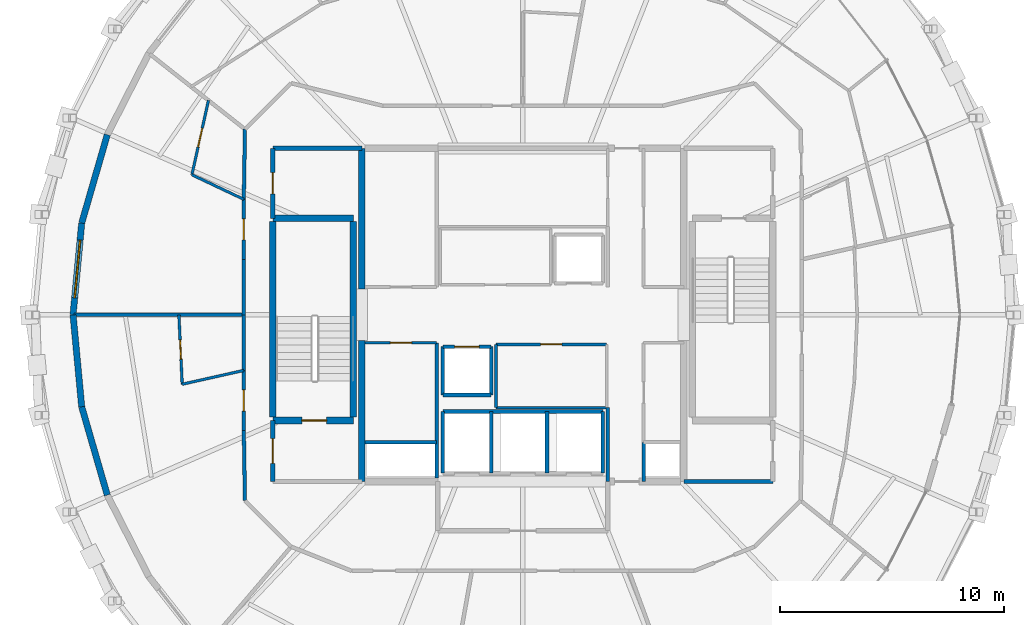
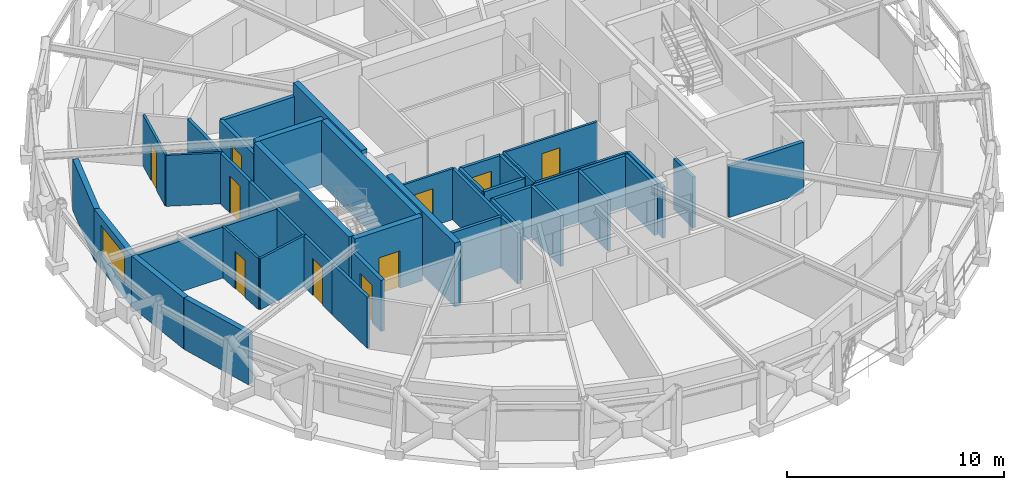
# One storey, part 11 of 15: 42 walls, 10 doors, 1 window, 11 openings.
"""IFC4 building model written with IfcOpenShell, lengths in metres."""

import ifcopenshell
import ifcopenshell.guid

model = None  # the IFC model being written
_history = None  # IfcOwnerHistory: only IFC2X3 demands one
_inside = {}  # id of a spatial element -> (the spatial element, [elements in it])
_under = {}  # id of a project, library or spatial element -> (it, [spatial elements below it])
_declared = {}  # id of a project -> (the project, [libraries it declares])
_typed = {}  # id of a type object -> (the type object, [elements of that type])
_made_of = {}  # id of a material, layer set ... -> (it, [elements and type objects made of it])


def new_model(schema):
    """Start an empty IFC model of exactly this schema.

    Asked for "IFC4X3", IfcOpenShell would pick the latest addendum, in which some entities
    have other attributes; the version numbers below select the first issue.
    IFC2X3 requires an IfcOwnerHistory on every rooted entity: one is made here for all.
    """
    global model, _history
    if schema == "IFC4X3":
        model = ifcopenshell.file(schema_version=(4, 3, 0, 0))
    else:
        model = ifcopenshell.file(schema=schema)
    _inside.clear()
    _under.clear()
    _declared.clear()
    _typed.clear()
    _made_of.clear()
    _history = None
    if model.schema == "IFC2X3":
        org = make("IfcOrganization", Name="unknown")
        user = make(
            "IfcPersonAndOrganization",
            ThePerson=make("IfcPerson", FamilyName="unknown"),
            TheOrganization=org,
        )
        app = make(
            "IfcApplication",
            ApplicationDeveloper=org,
            Version="unknown",
            ApplicationFullName="unknown",
            ApplicationIdentifier="unknown",
        )
        _history = make(
            "IfcOwnerHistory",
            OwningUser=user,
            OwningApplication=app,
            ChangeAction="ADDED",
            CreationDate=0,
        )
    return model


def make(cls, **values):
    """One entity of the class cls with the attributes given. An attribute that is None is left unset."""
    return model.create_entity(
        cls, **{name: value for name, value in values.items() if value is not None}
    )


def rooted(cls, **values):
    """An entity with a GlobalId (a new one), such as an element, a storey or a relation."""
    return make(cls, GlobalId=ifcopenshell.guid.new(), OwnerHistory=_history, **values)


def si_unit(unit_type, name, prefix=None):
    """IfcSIUnit, for example si_unit("LENGTHUNIT", "METRE", prefix="MILLI")."""
    return make("IfcSIUnit", UnitType=unit_type, Prefix=prefix, Name=name)


def assignment(units):
    """IfcUnitAssignment: the units of a project."""
    return None if units is None else make("IfcUnitAssignment", Units=units)


def point(xyz):
    """IfcCartesianPoint."""
    return None if xyz is None else make("IfcCartesianPoint", Coordinates=xyz)


def direction(xyz):
    """IfcDirection."""
    return None if xyz is None else make("IfcDirection", DirectionRatios=xyz)


def frame(location, z_axis=None, x_axis=None):
    """IfcAxis2Placement3D, a coordinate frame: its origin and axes. An axis left out is left unset."""
    return make(
        "IfcAxis2Placement3D",
        Location=point(location),
        Axis=direction(z_axis),
        RefDirection=direction(x_axis),
    )


def frame_2d(location, x_axis=None):
    """IfcAxis2Placement2D, a coordinate frame in the plane: its origin and x axis."""
    return make(
        "IfcAxis2Placement2D", Location=point(location), RefDirection=direction(x_axis)
    )


def origin():
    """The frame at (0, 0, 0) with its axes left unset."""
    return frame((0.0, 0.0, 0.0))


def place(relative_to, where):
    """IfcLocalPlacement: puts the frame where relative to a parent placement (None: the world)."""
    return make(
        "IfcLocalPlacement", PlacementRelTo=relative_to, RelativePlacement=where
    )


def context(
    kind, dimensions, precision=None, world=None, true_north=None, identifier=None
):
    """IfcGeometricRepresentationContext, for example the 3D "Model" context."""
    return make(
        "IfcGeometricRepresentationContext",
        ContextIdentifier=identifier,
        ContextType=kind,
        CoordinateSpaceDimension=dimensions,
        Precision=precision,
        WorldCoordinateSystem=world,
        TrueNorth=true_north,
    )


def subcontext(parent, identifier, kind, view, scale=None):
    """IfcGeometricRepresentationSubContext, for example "Body" below "Model"."""
    return make(
        "IfcGeometricRepresentationSubContext",
        ContextIdentifier=identifier,
        ContextType=kind,
        ParentContext=parent,
        TargetScale=scale,
        TargetView=view,
    )


def project(units=None, contexts=None):
    """IfcProject with its units and contexts."""
    return rooted(
        "IfcProject",
        Name="project",
        RepresentationContexts=contexts,
        UnitsInContext=assignment(units),
    )


def spatial(cls, under=None, at=None, **own):
    """A site, building, storey or space (cls), placed at a placement, below another one or the project."""
    s = rooted(cls, ObjectPlacement=at, **own)
    if under is not None:
        _under.setdefault(under.id(), (under, []))[1].append(s)
    return s


def profile(cls, at=None, kind="AREA", **sizes):
    """A parametric profile (cls). Its sizes go by their IFC names, for example OverallWidth=200.0."""
    return make(cls, ProfileType=kind, Position=at, **sizes)


def rectangle(**sizes):
    """IfcRectangleProfileDef."""
    return profile("IfcRectangleProfileDef", **sizes)


def extrude(swept, where, along, depth):
    """IfcExtrudedAreaSolid: the profile swept, set in the frame where, extruded along a direction by depth."""
    return make(
        "IfcExtrudedAreaSolid",
        SweptArea=swept,
        Position=where,
        ExtrudedDirection=direction(along),
        Depth=depth,
    )


def shape(context_of_items, identifier, shape_type, items):
    """IfcShapeRepresentation: the items that make up one representation, for example the "Body"."""
    return make(
        "IfcShapeRepresentation",
        ContextOfItems=context_of_items,
        RepresentationIdentifier=identifier,
        RepresentationType=shape_type,
        Items=items,
    )


def material(Name=None, Category=None):
    """IfcMaterial."""
    return make("IfcMaterial", Name=Name, Category=Category)


def layer(
    of_material, thickness, ventilated=None, Name=None, Category=None, Priority=None
):
    """IfcMaterialLayer: one layer of a wall or slab, of a material (None: an air gap)."""
    return make(
        "IfcMaterialLayer",
        Material=of_material,
        LayerThickness=thickness,
        IsVentilated=ventilated,
        Name=Name,
        Category=Category,
        Priority=Priority,
    )


def layer_set(layers, Name=None):
    """IfcMaterialLayerSet."""
    return make("IfcMaterialLayerSet", MaterialLayers=layers, LayerSetName=Name)


def made_of(thing, what):
    """Note that an element or type object is made of a material, layer set ...; save() writes the relation."""
    if what is not None:
        _made_of.setdefault(what.id(), (what, []))[1].append(thing)
    return thing


def type_object(cls, material=None, **own):
    """A type object (cls), such as IfcWallType, which elements share."""
    return made_of(rooted(cls, **own), material)


def element(
    cls,
    number,
    at=None,
    inside=None,
    cuts=None,
    type_object=None,
    material=None,
    context=None,
    identifier="Body",
    shape_type=None,
    held_by="IfcProductDefinitionShape",
    body=None,
    shapes=None,
    **own,
):
    """One element of the class cls, such as IfcWall. Its Tag is "e" and its number.

    at: its placement. inside: the storey or other place that contains it. cuts: it is an
    opening in that element (IfcRelVoidsElement). A single representation is given by context,
    identifier, shape_type and body (its items); several are given by shapes. held_by: the class
    of the entity that holds the representations. save() writes the other relations.
    """
    e = rooted(cls, Tag="e%d" % number, ObjectPlacement=at, **own)
    if body is not None:
        shapes = [shape(context, identifier, shape_type, body)]
    if shapes is not None:
        e.Representation = make(held_by, Representations=shapes)
    if inside is not None:
        _inside.setdefault(inside.id(), (inside, []))[1].append(e)
    if cuts is not None:
        rooted(
            "IfcRelVoidsElement", RelatingBuildingElement=cuts, RelatedOpeningElement=e
        )
    if type_object is not None:
        _typed.setdefault(type_object.id(), (type_object, []))[1].append(e)
    return made_of(e, material)


def fill(opening, filler):
    """IfcRelFillsElement: the door or window that sits in an opening."""
    return rooted(
        "IfcRelFillsElement",
        RelatingOpeningElement=opening,
        RelatedBuildingElement=filler,
    )


def aggregate(whole, parts):
    """IfcRelAggregates: a whole, such as a stair, and the parts it consists of."""
    return rooted("IfcRelAggregates", RelatingObject=whole, RelatedObjects=parts)


def save(model, path):
    """Write the relations noted so far, then the file.

    IfcRelAggregates (storeys below a building ...), IfcRelContainedInSpatialStructure (elements
    in a storey), IfcRelDefinesByType, IfcRelAssociatesMaterial and IfcRelDeclares: one each for
    every whole, place, type object, material and project.
    """
    for whole, parts in _under.values():
        aggregate(whole, parts)
    for where, things in _inside.values():
        rooted(
            "IfcRelContainedInSpatialStructure",
            RelatedElements=things,
            RelatingStructure=where,
        )
    for kind, things in _typed.values():
        rooted("IfcRelDefinesByType", RelatedObjects=things, RelatingType=kind)
    for what, things in _made_of.values():
        rooted("IfcRelAssociatesMaterial", RelatedObjects=things, RelatingMaterial=what)
    for by, libraries in _declared.values():
        rooted("IfcRelDeclares", RelatingContext=by, RelatedDefinitions=libraries)
    model.write(path)


model = new_model("IFC4")

# Units and contexts
model_context = context("Model", 3, precision=1e-05, world=origin(), true_north=direction((0.0, 1.0)))
body_context = subcontext(model_context, "Body", "Model", "MODEL_VIEW")
ifc_project = project(units=[si_unit("LENGTHUNIT", "METRE"), si_unit("AREAUNIT", "SQUARE_METRE"), si_unit("VOLUMEUNIT", "CUBIC_METRE"), si_unit("PLANEANGLEUNIT", "RADIAN"), si_unit("MASSUNIT", "GRAM", prefix="KILO")], contexts=[model_context])

# Site, building, storey
site_placement = place(None, origin())
site = spatial("IfcSite", under=ifc_project, at=site_placement, CompositionType="ELEMENT")
building_placement = place(site_placement, origin())
building = spatial("IfcBuilding", under=site, at=building_placement, Name="Veldorina Hangang Commons", CompositionType="ELEMENT")
storey_placement = place(building_placement, frame((0.0, 0.0, 261.60009765625)))
storey = spatial("IfcBuildingStorey", under=building, at=storey_placement, Name="L68", CompositionType="ELEMENT", Elevation=261.60009765625)

# Walls
ifc_material_1 = material(Name="Concrete C50/60", Category="concrete")
ifc_layer_1 = layer(ifc_material_1, 0.300048828125)
ifc_layer_set_1 = layer_set([ifc_layer_1], Name="Concrete C50/60")
wall_type_1 = type_object("IfcWallType", Name="CW-RC300-C50", PredefinedType="SHEAR", material=ifc_layer_set_1)
for number, where, z_axis, x_axis, name in (
    (1, (24.800048828125, 16.550048828125, 0.0), (0.0, 0.0, 1.0), (0.0, 1.0, 0.0), "L68 W south core shear wall"),
    (2, (24.800048828125, 25.14990234375, 0.0), (0.0, 0.0, 1.0), (0.0, 1.0, 0.0), "L68 W north core shear wall"),
):
    element("IfcWall", number, at=place(storey_placement, frame(where, z_axis=z_axis, x_axis=x_axis)), inside=storey, type_object=wall_type_1, Name=name, PredefinedType="SHEAR", context=body_context, shape_type="SweptSolid", body=[
        extrude(rectangle(XDim=6.300048828125, YDim=0.300048828125, at=frame_2d((3.14990234375, 0.0))), origin(), (0.0, 0.0, 1.0), 3.599853515625),
    ])
ifc_material_2 = material(Name="Stone Roman Travertine", Category="masonry")
ifc_layer_2 = layer(ifc_material_2, 0.280029296875)
ifc_layer_set_2 = layer_set([ifc_layer_2], Name="Stone Roman Travertine")
wall_type_2 = type_object("IfcWallType", Name="EW-TRAV-280", PredefinedType="STANDARD", material=ifc_layer_set_2)
wall_1_placement = place(storey_placement, frame((13.416015625, 32.059814453125, 0.0), z_axis=(0.0, 0.0, 1.0), x_axis=(-0.278246863013, -0.960509595592, 0.0)))
element("IfcWall", 3, at=wall_1_placement, inside=storey, type_object=wall_type_2, Name="L68 travertine facade wall 14", PredefinedType="STANDARD", context=body_context, shape_type="SweptSolid", body=[
    extrude(rectangle(XDim=4.11328125, YDim=0.280029296875, at=frame_2d((2.056640625, 0.0))), origin(), (0.0, 0.0, 1.0), 2.8798828125),
])

# Wall, opening, window
wall_2_placement = place(storey_placement, frame((12.271484375, 28.10888671875, 0.0), z_axis=(0.0, 0.0, 1.0), x_axis=(-0.093644905581, -0.995605660721, 0.0)))
wall_2 = element("IfcWall", 4, at=wall_2_placement, inside=storey, type_object=wall_type_2, Name="L68 travertine facade wall 15", PredefinedType="STANDARD", context=body_context, shape_type="SweptSolid", body=[
    extrude(rectangle(XDim=4.126953125, YDim=0.280029296875, at=frame_2d((2.0634765625, 0.0))), origin(), (0.0, 0.0, 1.0), 2.8798828125),
])
opening_1_placement = place(wall_2_placement, frame((0.763427734375, 0.0, 0.800048828125)))
opening_1 = element("IfcOpeningElement", 5, at=opening_1_placement, cuts=wall_2, Name="Opening W-02", PredefinedType="OPENING", context=body_context, shape_type="SweptSolid", body=[
    extrude(rectangle(XDim=2.60009765625, YDim=1.64990234375, at=frame_2d((1.300048828125, 0.824951171875))), frame((0.0, 0.14990234375, 0.0), z_axis=(0.0, -1.0, 0.0), x_axis=(1.0, 0.0, 0.0)), (0.0, 0.0, 1.0), 0.300048828125),
])
ifc_material_3 = material(Name="Glass Low-E Triple IGU", Category="glass")
window_type = type_object("IfcWindowType", Name="WIN-TWR-2600", PartitioningType="SINGLE_PANEL", PredefinedType="WINDOW", material=ifc_material_3)
window_placement = place(opening_1_placement, origin())
window = element("IfcWindow", 6, at=window_placement, inside=storey, type_object=window_type, Name="L68 facade window 15", OverallHeight=1.64990234375, OverallWidth=2.60009765625, PartitioningType="SINGLE_PANEL", PredefinedType="WINDOW", context=body_context, shape_type="SweptSolid", body=[
    extrude(rectangle(XDim=2.60009765625, YDim=1.64990234375, at=frame_2d((1.300048828125, 0.824951171875))), frame((0.0, 0.030029296875, 0.0), z_axis=(0.0, -1.0, 0.0), x_axis=(1.0, 0.0, 0.0)), (0.0, 0.0, 1.0), 0.06005859375),
])
fill(opening_1, window)

# Walls
wall_3_placement = place(storey_placement, frame((11.885009765625, 24.0, 0.0), z_axis=(0.0, 0.0, 1.0), x_axis=(0.093644905581, -0.995605660721, 0.0)))
element("IfcWall", 7, at=wall_3_placement, inside=storey, type_object=wall_type_2, Name="L68 travertine facade wall 16", PredefinedType="STANDARD", context=body_context, shape_type="SweptSolid", body=[
    extrude(rectangle(XDim=4.126953125, YDim=0.280029296875, at=frame_2d((2.0634765625, 0.0))), origin(), (0.0, 0.0, 1.0), 2.8798828125),
])
wall_4_placement = place(storey_placement, frame((12.271484375, 19.89111328125, 0.0), z_axis=(0.0, 0.0, 1.0), x_axis=(0.278246863013, -0.960509595592, 0.0)))
element("IfcWall", 8, at=wall_4_placement, inside=storey, type_object=wall_type_2, Name="L68 travertine facade wall 17", PredefinedType="STANDARD", context=body_context, shape_type="SweptSolid", body=[
    extrude(rectangle(XDim=4.11328125, YDim=0.280029296875, at=frame_2d((2.056640625, 0.0))), origin(), (0.0, 0.0, 1.0), 2.8798828125),
])
ifc_layer_3 = layer(ifc_material_1, 0.300048828125)
ifc_layer_set_3 = layer_set([ifc_layer_3], Name="Concrete C50/60")
wall_type_3 = type_object("IfcWallType", Name="SW-STAIR-300", PredefinedType="SHEAR", material=ifc_layer_set_3)
for number, where, z_axis, x_axis, name in (
    (9, (20.820068359375, 19.429931640625, 0.0), (0.0, 0.0, 1.0), (0.0, 1.0, 0.0), "L68 ST1 outer stair shear wall"),
    (10, (24.419921875, 19.429931640625, 0.0), (0.0, 0.0, 1.0), (0.0, 1.0, 0.0), "L68 ST1 inner stair shear wall"),
):
    element("IfcWall", number, at=place(storey_placement, frame(where, z_axis=z_axis, x_axis=x_axis)), inside=storey, type_object=wall_type_3, Name=name, PredefinedType="SHEAR", context=body_context, shape_type="SweptSolid", body=[
        extrude(rectangle(XDim=8.739990234375, YDim=0.300048828125, at=frame_2d((4.3701171875, 0.0))), origin(), (0.0, 0.0, 1.0), 3.599853515625),
    ])

# Wall, opening, door
wall_5_placement = place(storey_placement, frame((20.820068359375, 19.280029296875, 0.0), z_axis=(0.0, 0.0, 1.0), x_axis=(1.0, 0.0, 0.0)))
wall_5 = element("IfcWall", 11, at=wall_5_placement, inside=storey, type_object=wall_type_3, Name="L68 ST1 south stair shear wall", PredefinedType="SHEAR", context=body_context, shape_type="SweptSolid", body=[
    extrude(rectangle(XDim=3.599853515625, YDim=0.300048828125, at=frame_2d((1.7998046875, 0.0))), origin(), (0.0, 0.0, 1.0), 3.599853515625),
])
opening_2_placement = place(wall_5_placement, frame((1.300048828125, 0.0, 0.0)))
opening_2 = element("IfcOpeningElement", 12, at=opening_2_placement, cuts=wall_5, Name="Opening D-08", PredefinedType="OPENING", context=body_context, shape_type="SweptSolid", body=[
    extrude(rectangle(XDim=1.10009765625, YDim=2.10009765625, at=frame_2d((0.550048828125, 1.050048828125))), frame((0.0, 0.16015625, 0.0), z_axis=(0.0, -1.0, 0.0), x_axis=(1.0, 0.0, 0.0)), (0.0, 0.0, 1.0), 0.320068359375),
])
ifc_material_4 = material(Name="Steel Fire-Rated Smoke Seal", Category="steel")
door_type_1 = type_object("IfcDoorType", Name="DR-FIRE-1100", OperationType="SINGLE_SWING_RIGHT", PredefinedType="DOOR", material=ifc_material_4)
door_1_placement = place(opening_2_placement, origin())
door_1 = element("IfcDoor", 13, at=door_1_placement, inside=storey, type_object=door_type_1, Name="L68 Special Escape Stair ST-1 door", OperationType="SINGLE_SWING_LEFT", OverallHeight=2.10009765625, OverallWidth=1.10009765625, PredefinedType="DOOR", context=body_context, shape_type="SweptSolid", body=[
    extrude(rectangle(XDim=1.10009765625, YDim=2.10009765625, at=frame_2d((0.550048828125, 1.050048828125))), frame((0.0, 0.02490234375, 0.0), z_axis=(0.0, -1.0, 0.0), x_axis=(1.0, 0.0, 0.0)), (0.0, 0.0, 1.0), 0.050048828125),
])
fill(opening_2, door_1)

# Walls
wall_6_placement = place(storey_placement, frame((20.820068359375, 28.320068359375, 0.0), z_axis=(0.0, 0.0, 1.0), x_axis=(1.0, 0.0, 0.0)))
element("IfcWall", 14, at=wall_6_placement, inside=storey, type_object=wall_type_3, Name="L68 ST1 north stair shear wall", PredefinedType="SHEAR", context=body_context, shape_type="SweptSolid", body=[
    extrude(rectangle(XDim=3.599853515625, YDim=0.300048828125, at=frame_2d((1.7998046875, 0.0))), origin(), (0.0, 0.0, 1.0), 3.599853515625),
])
ifc_material_5 = material(Name="Gypsum Fire-Rated Twin Stud Wall", Category="gypsum")
ifc_layer_4 = layer(ifc_material_5, 0.159912109375)
ifc_layer_set_4 = layer_set([ifc_layer_4], Name="Gypsum Fire-Rated Twin Stud Wall")
wall_type_4 = type_object("IfcWallType", Name="WL-FIRE-160", PredefinedType="SOLIDWALL", material=ifc_layer_set_4)
wall_7_placement = place(storey_placement, frame((35.800048828125, 16.550048828125, 0.0), z_axis=(0.0, 0.0, 1.0), x_axis=(0.0, 1.0, 0.0)))
element("IfcWall", 15, at=wall_7_placement, inside=storey, type_object=wall_type_4, Name="L68 Lift passage SW wall 009", PredefinedType="SOLIDWALL", context=body_context, shape_type="SweptSolid", body=[
    extrude(rectangle(XDim=3.300048828125, YDim=0.159912109375, at=frame_2d((1.64990234375, 0.0))), origin(), (0.0, 0.0, 1.0), 2.869873046875),
])
wall_8_placement = place(storey_placement, frame((37.39990234375, 16.550048828125, 0.0), z_axis=(0.0, 0.0, 1.0), x_axis=(0.0, 1.0, 0.0)))
element("IfcWall", 16, at=wall_8_placement, inside=storey, type_object=wall_type_4, Name="L68 Lift passage SE stub 010", PredefinedType="SOLIDWALL", context=body_context, shape_type="SweptSolid", body=[
    extrude(rectangle(XDim=1.75, YDim=0.159912109375, at=frame_2d((0.875, 0.0))), origin(), (0.0, 0.0, 1.0), 2.869873046875),
])

# Wall, opening, door
wall_9_placement = place(storey_placement, frame((28.419921875, 22.580078125, 0.0), z_axis=(0.0, 0.0, 1.0), x_axis=(1.0, 0.0, 0.0)))
wall_9 = element("IfcWall", 17, at=wall_9_placement, inside=storey, type_object=wall_type_4, Name="L68 Shuttle-high front shaft wall 019", PredefinedType="SOLIDWALL", context=body_context, shape_type="SweptSolid", body=[
    extrude(rectangle(XDim=2.16015625, YDim=0.159912109375, at=frame_2d((1.080078125, 0.0))), origin(), (0.0, 0.0, 1.0), 2.869873046875),
])
opening_3_placement = place(wall_9_placement, frame((0.530029296875, 0.0, 0.0)))
opening_3 = element("IfcOpeningElement", 18, at=opening_3_placement, cuts=wall_9, Name="Opening LD-01", PredefinedType="OPENING", context=body_context, shape_type="SweptSolid", body=[
    extrude(rectangle(XDim=1.10009765625, YDim=2.14990234375, at=frame_2d((0.550048828125, 1.074951171875))), frame((0.0, 0.08984375, 0.0), z_axis=(0.0, -1.0, 0.0), x_axis=(1.0, 0.0, 0.0)), (0.0, 0.0, 1.0), 0.179931640625),
])
ifc_material_6 = material(Name="Stainless Steel Brushed Lift Door", Category="steel")
door_type_2 = type_object("IfcDoorType", Name="DR-LIFT-1100", OperationType="SLIDING_TO_LEFT", PredefinedType="DOOR", material=ifc_material_6)
door_2_placement = place(opening_3_placement, origin())
door_2 = element("IfcDoor", 19, at=door_2_placement, inside=storey, type_object=door_type_2, Name="L68 Lift PL-H2 landing door 007", OperationType="SLIDING_TO_LEFT", OverallHeight=2.14990234375, OverallWidth=1.10009765625, PredefinedType="DOOR", context=body_context, shape_type="SweptSolid", body=[
    extrude(rectangle(XDim=1.10009765625, YDim=2.14990234375, at=frame_2d((0.550048828125, 1.074951171875))), frame((0.0, 0.02490234375, 0.0), z_axis=(0.0, -1.0, 0.0), x_axis=(1.0, 0.0, 0.0)), (0.0, 0.0, 1.0), 0.050048828125),
])
fill(opening_3, door_2)

# Walls
for number, where, z_axis, x_axis, name in (
    (20, (28.419921875, 20.419921875, 0.0), (0.0, 0.0, 1.0), (1.0, 0.0, 0.0), "L68 Shuttle-high rear shaft wall 020"),
    (21, (28.419921875, 20.419921875, 0.0), (0.0, 0.0, 1.0), (0.0, 1.0, 0.0), "L68 PL-H2 west shaft wall 021"),
    (22, (30.580078125, 20.419921875, 0.0), (0.0, 0.0, 1.0), (0.0, 1.0, 0.0), "L68 PL-H2 east shaft wall 022"),
):
    element("IfcWall", number, at=place(storey_placement, frame(where, z_axis=z_axis, x_axis=x_axis)), inside=storey, type_object=wall_type_4, Name=name, PredefinedType="SOLIDWALL", context=body_context, shape_type="SweptSolid", body=[
        extrude(rectangle(XDim=2.16015625, YDim=0.159912109375, at=frame_2d((1.080078125, 0.0))), origin(), (0.0, 0.0, 1.0), 2.869873046875),
    ])
wall_10_placement = place(storey_placement, frame((28.419921875, 19.679931640625, 0.0), z_axis=(0.0, 0.0, 1.0), x_axis=(1.0, 0.0, 0.0)))
element("IfcWall", 23, at=wall_10_placement, inside=storey, type_object=wall_type_4, Name="L68 Emergency rear shaft wall 024", PredefinedType="SOLIDWALL", context=body_context, shape_type="SweptSolid", body=[
    extrude(rectangle(XDim=7.16015625, YDim=0.159912109375, at=frame_2d((3.580078125, 0.0))), origin(), (0.0, 0.0, 1.0), 2.869873046875),
])
for number, where, z_axis, x_axis, name in (
    (24, (28.419921875, 16.919921875, 0.0), (0.0, 0.0, 1.0), (0.0, 1.0, 0.0), "L68 FFL-1 west shaft wall 025"),
    (25, (30.580078125, 16.919921875, 0.0), (0.0, 0.0, 1.0), (0.0, 1.0, 0.0), "L68 FFL-1 east shaft wall 026"),
    (26, (33.080078125, 16.919921875, 0.0), (0.0, 0.0, 1.0), (0.0, 1.0, 0.0), "L68 FFL-2 east shaft wall 027"),
    (27, (35.580078125, 16.919921875, 0.0), (0.0, 0.0, 1.0), (0.0, 1.0, 0.0), "L68 EVL-1 east shaft wall 028"),
):
    element("IfcWall", number, at=place(storey_placement, frame(where, z_axis=z_axis, x_axis=x_axis)), inside=storey, type_object=wall_type_4, Name=name, PredefinedType="SOLIDWALL", context=body_context, shape_type="SweptSolid", body=[
        extrude(rectangle(XDim=2.760009765625, YDim=0.159912109375, at=frame_2d((1.3798828125, 0.0))), origin(), (0.0, 0.0, 1.0), 2.869873046875),
    ])
wall_11_placement = place(storey_placement, frame((24.949951171875, 18.300048828125, 0.0), z_axis=(0.0, 0.0, 1.0), x_axis=(1.0, 0.0, 0.0)))
element("IfcWall", 28, at=wall_11_placement, inside=storey, type_object=wall_type_4, Name="L68 Electrical riser wall 040", PredefinedType="SOLIDWALL", context=body_context, shape_type="SweptSolid", body=[
    extrude(rectangle(XDim=3.199951171875, YDim=0.159912109375, at=frame_2d((1.60009765625, 0.0))), origin(), (0.0, 0.0, 1.0), 2.869873046875),
])
wall_12_placement = place(storey_placement, frame((28.14990234375, 16.699951171875, 0.0), z_axis=(0.0, 0.0, 1.0), x_axis=(0.0, 1.0, 0.0)))
element("IfcWall", 29, at=wall_12_placement, inside=storey, type_object=wall_type_4, Name="L68 SW core inner wall 041", PredefinedType="SOLIDWALL", context=body_context, shape_type="SweptSolid", body=[
    extrude(rectangle(XDim=6.050048828125, YDim=0.159912109375, at=frame_2d((3.02490234375, 0.0))), origin(), (0.0, 0.0, 1.0), 2.869873046875),
])
wall_13_placement = place(storey_placement, frame((19.5732421875, 32.30322265625, 0.0), z_axis=(0.0, 0.0, 1.0), x_axis=(-0.016981035134, -0.999855811828, 0.0)))
element("IfcWall", 30, at=wall_13_placement, inside=storey, type_object=wall_type_4, Name="L68 Compact collar outer wall 13 063", PredefinedType="SOLIDWALL", context=body_context, shape_type="SweptSolid", body=[
    extrude(rectangle(XDim=3.13427734375, YDim=0.159912109375, at=frame_2d((1.567138671875, 0.0))), origin(), (0.0, 0.0, 1.0), 2.869873046875),
])

# Wall, opening, door
wall_14_placement = place(storey_placement, frame((19.52001953125, 29.16943359375, 0.0), z_axis=(0.0, 0.0, 1.0), x_axis=(0.0, -1.0, 0.0)))
wall_14 = element("IfcWall", 31, at=wall_14_placement, inside=storey, type_object=wall_type_4, Name="L68 Compact collar outer wall 14 064", PredefinedType="SOLIDWALL", context=body_context, shape_type="SweptSolid", body=[
    extrude(rectangle(XDim=2.68701171875, YDim=0.159912109375, at=frame_2d((1.343505859375, 0.0))), origin(), (0.0, 0.0, 1.0), 2.869873046875),
])
opening_4_placement = place(wall_14_placement, frame((0.868408203125, 0.0, 0.0)))
opening_4 = element("IfcOpeningElement", 32, at=opening_4_placement, cuts=wall_14, Name="Opening D-03", PredefinedType="OPENING", context=body_context, shape_type="SweptSolid", body=[
    extrude(rectangle(XDim=0.949951171875, YDim=2.10009765625, at=frame_2d((0.47509765625, 1.050048828125))), frame((0.0, 0.08984375, 0.0), z_axis=(0.0, -1.0, 0.0), x_axis=(1.0, 0.0, 0.0)), (0.0, 0.0, 1.0), 0.179931640625),
])
ifc_material_7 = material(Name="Timber Fire-Rated Entrance Core", Category="wood")
door_type_3 = type_object("IfcDoorType", Name="DR-UNIT-950", OperationType="SINGLE_SWING_RIGHT", PredefinedType="DOOR", material=ifc_material_7)
door_3_placement = place(opening_4_placement, origin())
door_3 = element("IfcDoor", 33, at=door_3_placement, inside=storey, type_object=door_type_3, Name="L68 Studio 4 entrance door 031", OperationType="SINGLE_SWING_LEFT", OverallHeight=2.10009765625, OverallWidth=0.949951171875, PredefinedType="DOOR", context=body_context, shape_type="SweptSolid", body=[
    extrude(rectangle(XDim=0.949951171875, YDim=2.10009765625, at=frame_2d((0.47509765625, 1.050048828125))), frame((0.0, 0.02490234375, 0.0), z_axis=(0.0, -1.0, 0.0), x_axis=(1.0, 0.0, 0.0)), (0.0, 0.0, 1.0), 0.050048828125),
])
fill(opening_4, door_3)

# Walls
for number, where, z_axis, x_axis, name in (
    (34, (19.52001953125, 26.482421875, 0.0), (0.0, 0.0, 1.0), (0.0, -1.0, 0.0), "L68 Compact collar outer wall 15 065"),
    (35, (19.52001953125, 24.0, 0.0), (0.0, 0.0, 1.0), (0.0, -1.0, 0.0), "L68 Compact collar outer wall 16 066"),
):
    element("IfcWall", number, at=place(storey_placement, frame(where, z_axis=z_axis, x_axis=x_axis)), inside=storey, type_object=wall_type_4, Name=name, PredefinedType="SOLIDWALL", context=body_context, shape_type="SweptSolid", body=[
        extrude(rectangle(XDim=2.482421875, YDim=0.159912109375, at=frame_2d((1.2412109375, 0.0))), origin(), (0.0, 0.0, 1.0), 2.869873046875),
    ])

# Wall, opening, door
wall_15_placement = place(storey_placement, frame((19.52001953125, 21.517578125, 0.0), z_axis=(0.0, 0.0, 1.0), x_axis=(0.0, -1.0, 0.0)))
wall_15 = element("IfcWall", 36, at=wall_15_placement, inside=storey, type_object=wall_type_4, Name="L68 Compact collar outer wall 17 067", PredefinedType="SOLIDWALL", context=body_context, shape_type="SweptSolid", body=[
    extrude(rectangle(XDim=2.68701171875, YDim=0.159912109375, at=frame_2d((1.343505859375, 0.0))), origin(), (0.0, 0.0, 1.0), 2.869873046875),
])
opening_5_placement = place(wall_15_placement, frame((0.868408203125, 0.0, 0.0)))
opening_5 = element("IfcOpeningElement", 37, at=opening_5_placement, cuts=wall_15, Name="Opening D-03", PredefinedType="OPENING", context=body_context, shape_type="SweptSolid", body=[
    extrude(rectangle(XDim=0.949951171875, YDim=2.10009765625, at=frame_2d((0.47509765625, 1.050048828125))), frame((0.0, 0.08984375, 0.0), z_axis=(0.0, -1.0, 0.0), x_axis=(1.0, 0.0, 0.0)), (0.0, 0.0, 1.0), 0.179931640625),
])
door_4_placement = place(opening_5_placement, origin())
door_4 = element("IfcDoor", 38, at=door_4_placement, inside=storey, type_object=door_type_3, Name="L68 Studio 5 entrance door 033", OperationType="SINGLE_SWING_LEFT", OverallHeight=2.10009765625, OverallWidth=0.949951171875, PredefinedType="DOOR", context=body_context, shape_type="SweptSolid", body=[
    extrude(rectangle(XDim=0.949951171875, YDim=2.10009765625, at=frame_2d((0.47509765625, 1.050048828125))), frame((0.0, 0.02490234375, 0.0), z_axis=(0.0, -1.0, 0.0), x_axis=(1.0, 0.0, 0.0)), (0.0, 0.0, 1.0), 0.050048828125),
])
fill(opening_5, door_4)

# Walls
wall_16_placement = place(storey_placement, frame((19.52001953125, 18.83056640625, 0.0), z_axis=(0.0, 0.0, 1.0), x_axis=(0.016981035134, -0.999855811828, 0.0)))
element("IfcWall", 39, at=wall_16_placement, inside=storey, type_object=wall_type_4, Name="L68 Compact collar outer wall 18 068", PredefinedType="SOLIDWALL", context=body_context, shape_type="SweptSolid", body=[
    extrude(rectangle(XDim=3.13427734375, YDim=0.159912109375, at=frame_2d((1.567138671875, 0.0))), origin(), (0.0, 0.0, 1.0), 2.869873046875),
])
wall_17_placement = place(storey_placement, frame((19.52001953125, 24.0, 0.0), z_axis=(0.0, 0.0, 1.0), x_axis=(-1.0, 0.0, 0.0)))
element("IfcWall", 40, at=wall_17_placement, inside=storey, type_object=wall_type_4, Name="L68 Unit party wall 16 106", PredefinedType="SOLIDWALL", context=body_context, shape_type="SweptSolid", body=[
    extrude(rectangle(XDim=7.585205078125, YDim=0.159912109375, at=frame_2d((3.79248046875, 0.0))), origin(), (0.0, 0.0, 1.0), 2.869873046875),
])

# Wall, opening, door
ifc_material_8 = material(Name="Concrete Blockwork Fire Wall C30/37", Category="masonry")
ifc_layer_5 = layer(ifc_material_8, 0.199951171875)
ifc_layer_set_5 = layer_set([ifc_layer_5], Name="Concrete Blockwork Fire Wall C30/37")
wall_type_5 = type_object("IfcWallType", Name="WL-FIRE-200", PredefinedType="SOLIDWALL", material=ifc_layer_set_5)
wall_18_placement = place(storey_placement, frame((20.820068359375, 16.550048828125, 0.0), z_axis=(0.0, 0.0, 1.0), x_axis=(0.0, 1.0, 0.0)))
wall_18 = element("IfcWall", 41, at=wall_18_placement, inside=storey, type_object=wall_type_5, Name="L68 West vestibule outer wall 001", PredefinedType="SOLIDWALL", context=body_context, shape_type="SweptSolid", body=[
    extrude(rectangle(XDim=2.72998046875, YDim=0.199951171875, at=frame_2d((1.364990234375, 0.0))), origin(), (0.0, 0.0, 1.0), 2.869873046875),
])
opening_6_placement = place(wall_18_placement, frame((0.81494140625, 0.0, 0.0)))
opening_6 = element("IfcOpeningElement", 42, at=opening_6_placement, cuts=wall_18, Name="Opening D-08", PredefinedType="OPENING", context=body_context, shape_type="SweptSolid", body=[
    extrude(rectangle(XDim=1.10009765625, YDim=2.10009765625, at=frame_2d((0.550048828125, 1.050048828125))), frame((0.0, 0.10986328125, 0.0), z_axis=(0.0, -1.0, 0.0), x_axis=(1.0, 0.0, 0.0)), (0.0, 0.0, 1.0), 0.219970703125),
])
door_5_placement = place(opening_6_placement, origin())
door_5 = element("IfcDoor", 43, at=door_5_placement, inside=storey, type_object=door_type_1, Name="L68 West vestibule west door 001", OperationType="SINGLE_SWING_LEFT", OverallHeight=2.10009765625, OverallWidth=1.10009765625, PredefinedType="DOOR", context=body_context, shape_type="SweptSolid", body=[
    extrude(rectangle(XDim=1.10009765625, YDim=2.10009765625, at=frame_2d((0.550048828125, 1.050048828125))), frame((0.0, 0.02490234375, 0.0), z_axis=(0.0, -1.0, 0.0), x_axis=(1.0, 0.0, 0.0)), (0.0, 0.0, 1.0), 0.050048828125),
])
fill(opening_6, door_5)

wall_19_placement = place(storey_placement, frame((20.820068359375, 28.320068359375, 0.0), z_axis=(0.0, 0.0, 1.0), x_axis=(0.0, 1.0, 0.0)))
wall_19 = element("IfcWall", 44, at=wall_19_placement, inside=storey, type_object=wall_type_5, Name="L68 NW core room outer wall 005", PredefinedType="SOLIDWALL", context=body_context, shape_type="SweptSolid", body=[
    extrude(rectangle(XDim=3.1298828125, YDim=0.199951171875, at=frame_2d((1.56494140625, 0.0))), origin(), (0.0, 0.0, 1.0), 2.869873046875),
])
opening_7_placement = place(wall_19_placement, frame((1.090087890625, 0.0, 0.0)))
opening_7 = element("IfcOpeningElement", 45, at=opening_7_placement, cuts=wall_19, Name="Opening D-04", PredefinedType="OPENING", context=body_context, shape_type="SweptSolid", body=[
    extrude(rectangle(XDim=0.949951171875, YDim=2.10009765625, at=frame_2d((0.47509765625, 1.050048828125))), frame((0.0, 0.10986328125, 0.0), z_axis=(0.0, -1.0, 0.0), x_axis=(1.0, 0.0, 0.0)), (0.0, 0.0, 1.0), 0.219970703125),
])
ifc_material_9 = material(Name="Timber Accessible Flush Leaf", Category="wood")
door_type_4 = type_object("IfcDoorType", Name="DR-ACC-950", OperationType="SINGLE_SWING_LEFT", PredefinedType="DOOR", material=ifc_material_9)
door_6_placement = place(opening_7_placement, origin())
door_6 = element("IfcDoor", 46, at=door_6_placement, inside=storey, type_object=door_type_4, Name="L68 NW core WC door 003", OperationType="SINGLE_SWING_LEFT", OverallHeight=2.10009765625, OverallWidth=0.949951171875, PredefinedType="DOOR", context=body_context, shape_type="SweptSolid", body=[
    extrude(rectangle(XDim=0.949951171875, YDim=2.10009765625, at=frame_2d((0.47509765625, 1.050048828125))), frame((0.0, 0.02490234375, 0.0), z_axis=(0.0, -1.0, 0.0), x_axis=(1.0, 0.0, 0.0)), (0.0, 0.0, 1.0), 0.050048828125),
])
fill(opening_7, door_6)

# Walls
for number, where, z_axis, x_axis, name in (
    (47, (20.820068359375, 31.449951171875, 0.0), (0.0, 0.0, 1.0), (1.0, 0.0, 0.0), "L68 NW core room north wall 006"),
    (48, (39.199951171875, 16.550048828125, 0.0), (0.0, 0.0, 1.0), (1.0, 0.0, 0.0), "L68 SE core room south wall 008"),
):
    element("IfcWall", number, at=place(storey_placement, frame(where, z_axis=z_axis, x_axis=x_axis)), inside=storey, type_object=wall_type_5, Name=name, PredefinedType="SOLIDWALL", context=body_context, shape_type="SweptSolid", body=[
        extrude(rectangle(XDim=3.97998046875, YDim=0.199951171875, at=frame_2d((1.989990234375, 0.0))), origin(), (0.0, 0.0, 1.0), 2.869873046875),
    ])

# Wall, opening, door
ifc_material_10 = material(Name="Gypsum Acoustic Stud Partition", Category="gypsum")
ifc_layer_6 = layer(ifc_material_10, 0.1201171875)
ifc_layer_set_6 = layer_set([ifc_layer_6], Name="Gypsum Acoustic Stud Partition")
wall_type_6 = type_object("IfcWallType", Name="WL-PART-120", PredefinedType="PARTITIONING", material=ifc_layer_set_6)
wall_20_placement = place(storey_placement, frame((30.800048828125, 22.679931640625, 0.0), z_axis=(0.0, 0.0, 1.0), x_axis=(1.0, 0.0, 0.0)))
wall_20 = element("IfcWall", 49, at=wall_20_placement, inside=storey, type_object=wall_type_6, Name="L68 Merged shuttle north wall 036", PredefinedType="PARTITIONING", context=body_context, shape_type="SweptSolid", body=[
    extrude(rectangle(XDim=4.949951171875, YDim=0.1201171875, at=frame_2d((2.47509765625, 0.0))), origin(), (0.0, 0.0, 1.0), 2.869873046875),
])
opening_8_placement = place(wall_20_placement, frame((2.0, 0.0, 0.0)))
opening_8 = element("IfcOpeningElement", 50, at=opening_8_placement, cuts=wall_20, Name="Opening D-02", PredefinedType="OPENING", context=body_context, shape_type="SweptSolid", body=[
    extrude(rectangle(XDim=0.949951171875, YDim=2.10009765625, at=frame_2d((0.47509765625, 1.050048828125))), frame((0.0, 0.070068359375, 0.0), z_axis=(0.0, -1.0, 0.0), x_axis=(1.0, 0.0, 0.0)), (0.0, 0.0, 1.0), 0.14013671875),
])
ifc_material_11 = material(Name="Timber Solid Core Acoustic", Category="wood")
door_type_5 = type_object("IfcDoorType", Name="DR-INT-950", OperationType="SINGLE_SWING_LEFT", PredefinedType="DOOR", material=ifc_material_11)
door_7_placement = place(opening_8_placement, origin())
door_7 = element("IfcDoor", 51, at=door_7_placement, inside=storey, type_object=door_type_5, Name="L68 Floor tea pantry door 013", OperationType="SINGLE_SWING_LEFT", OverallHeight=2.10009765625, OverallWidth=0.949951171875, PredefinedType="DOOR", context=body_context, shape_type="SweptSolid", body=[
    extrude(rectangle(XDim=0.949951171875, YDim=2.10009765625, at=frame_2d((0.47509765625, 1.050048828125))), frame((0.0, 0.02490234375, 0.0), z_axis=(0.0, -1.0, 0.0), x_axis=(1.0, 0.0, 0.0)), (0.0, 0.0, 1.0), 0.050048828125),
])
fill(opening_8, door_7)

# Walls
wall_21_placement = place(storey_placement, frame((30.800048828125, 19.85009765625, 0.0), z_axis=(0.0, 0.0, 1.0), x_axis=(1.0, 0.0, 0.0)))
element("IfcWall", 52, at=wall_21_placement, inside=storey, type_object=wall_type_6, Name="L68 Merged shuttle south wall 037", PredefinedType="PARTITIONING", context=body_context, shape_type="SweptSolid", body=[
    extrude(rectangle(XDim=4.949951171875, YDim=0.1201171875, at=frame_2d((2.47509765625, 0.0))), origin(), (0.0, 0.0, 1.0), 2.869873046875),
])
wall_22_placement = place(storey_placement, frame((30.800048828125, 19.85009765625, 0.0), z_axis=(0.0, 0.0, 1.0), x_axis=(0.0, 1.0, 0.0)))
element("IfcWall", 53, at=wall_22_placement, inside=storey, type_object=wall_type_6, Name="L68 Merged shuttle west wall 038", PredefinedType="PARTITIONING", context=body_context, shape_type="SweptSolid", body=[
    extrude(rectangle(XDim=2.829833984375, YDim=0.1201171875, at=frame_2d((1.4150390625, 0.0))), origin(), (0.0, 0.0, 1.0), 2.869873046875),
])

# Wall, opening, door
wall_23_placement = place(storey_placement, frame((24.949951171875, 22.75, 0.0), z_axis=(0.0, 0.0, 1.0), x_axis=(1.0, 0.0, 0.0)))
wall_23 = element("IfcWall", 54, at=wall_23_placement, inside=storey, type_object=wall_type_6, Name="L68 SW service north wall 045", PredefinedType="PARTITIONING", context=body_context, shape_type="SweptSolid", body=[
    extrude(rectangle(XDim=3.199951171875, YDim=0.1201171875, at=frame_2d((1.60009765625, 0.0))), origin(), (0.0, 0.0, 1.0), 2.869873046875),
])
opening_9_placement = place(wall_23_placement, frame((1.125, 0.0, 0.0)))
opening_9 = element("IfcOpeningElement", 55, at=opening_9_placement, cuts=wall_23, Name="Opening D-02", PredefinedType="OPENING", context=body_context, shape_type="SweptSolid", body=[
    extrude(rectangle(XDim=0.949951171875, YDim=2.10009765625, at=frame_2d((0.47509765625, 1.050048828125))), frame((0.0, 0.070068359375, 0.0), z_axis=(0.0, -1.0, 0.0), x_axis=(1.0, 0.0, 0.0)), (0.0, 0.0, 1.0), 0.14013671875),
])
door_8_placement = place(opening_9_placement, origin())
door_8 = element("IfcDoor", 56, at=door_8_placement, inside=storey, type_object=door_type_5, Name="L68 Refuse hold door 015", OperationType="SINGLE_SWING_LEFT", OverallHeight=2.10009765625, OverallWidth=0.949951171875, PredefinedType="DOOR", context=body_context, shape_type="SweptSolid", body=[
    extrude(rectangle(XDim=0.949951171875, YDim=2.10009765625, at=frame_2d((0.47509765625, 1.050048828125))), frame((0.0, 0.02490234375, 0.0), z_axis=(0.0, -1.0, 0.0), x_axis=(1.0, 0.0, 0.0)), (0.0, 0.0, 1.0), 0.050048828125),
])
fill(opening_9, door_8)

wall_24_placement = place(storey_placement, frame((17.93994140625, 33.594482421875, 0.0), z_axis=(0.0, 0.0, 1.0), x_axis=(-0.216998726361, -0.976171886892, 0.0)))
wall_24 = element("IfcWall", 57, at=wall_24_placement, inside=storey, type_object=wall_type_6, Name="L68 Studio 4 bath front wall 104", PredefinedType="PARTITIONING", context=body_context, shape_type="SweptSolid", body=[
    extrude(rectangle(XDim=3.407958984375, YDim=0.1201171875, at=frame_2d((1.7041015625, 0.0))), origin(), (0.0, 0.0, 1.0), 2.869873046875),
])
opening_10_placement = place(wall_24_placement, frame((1.27392578125, 0.0, 0.0)))
opening_10 = element("IfcOpeningElement", 58, at=opening_10_placement, cuts=wall_24, Name="Opening D-01", PredefinedType="OPENING", context=body_context, shape_type="SweptSolid", body=[
    extrude(rectangle(XDim=0.860107421875, YDim=2.10009765625, at=frame_2d((0.43017578125, 1.050048828125))), frame((0.0, 0.070068359375, 0.0), z_axis=(0.0, -1.0, 0.0), x_axis=(1.0, 0.0, 0.0)), (0.0, 0.0, 1.0), 0.14013671875),
])
ifc_material_12 = material(Name="Timber Moisture-Resistant Core", Category="wood")
door_type_6 = type_object("IfcDoorType", Name="DR-WET-860", OperationType="SINGLE_SWING_LEFT", PredefinedType="DOOR", material=ifc_material_12)
door_9_placement = place(opening_10_placement, origin())
door_9 = element("IfcDoor", 59, at=door_9_placement, inside=storey, type_object=door_type_6, Name="L68 Studio 4 bathroom door 030", OperationType="SINGLE_SWING_RIGHT", OverallHeight=2.10009765625, OverallWidth=0.860107421875, PredefinedType="DOOR", context=body_context, shape_type="SweptSolid", body=[
    extrude(rectangle(XDim=0.860107421875, YDim=2.10009765625, at=frame_2d((0.43017578125, 1.050048828125))), frame((0.0, 0.02490234375, 0.0), z_axis=(0.0, -1.0, 0.0), x_axis=(1.0, 0.0, 0.0)), (0.0, 0.0, 1.0), 0.050048828125),
])
fill(opening_10, door_9)

# Wall
wall_25_placement = place(storey_placement, frame((19.52001953125, 29.16943359375, 0.0), z_axis=(0.0, 0.0, 1.0), x_axis=(-0.90379206637, 0.427971845764, 0.0)))
element("IfcWall", 60, at=wall_25_placement, inside=storey, type_object=wall_type_6, Name="L68 Studio 4 bath side wall 105", PredefinedType="PARTITIONING", context=body_context, shape_type="SweptSolid", body=[
    extrude(rectangle(XDim=2.56640625, YDim=0.1201171875, at=frame_2d((1.283203125, 0.0))), origin(), (0.0, 0.0, 1.0), 2.869873046875),
])

# Wall, opening, door
wall_26_placement = place(storey_placement, frame((16.61865234375, 24.0, 0.0), z_axis=(0.0, 0.0, 1.0), x_axis=(0.047273648919, -0.99888197607, 0.0)))
wall_26 = element("IfcWall", 61, at=wall_26_placement, inside=storey, type_object=wall_type_6, Name="L68 Studio 5 bath front wall 107", PredefinedType="PARTITIONING", context=body_context, shape_type="SweptSolid", body=[
    extrude(rectangle(XDim=3.103759765625, YDim=0.1201171875, at=frame_2d((1.5517578125, 0.0))), origin(), (0.0, 0.0, 1.0), 2.869873046875),
])
opening_11_placement = place(wall_26_placement, frame((1.1220703125, 0.0, 0.0)))
opening_11 = element("IfcOpeningElement", 62, at=opening_11_placement, cuts=wall_26, Name="Opening D-01", PredefinedType="OPENING", context=body_context, shape_type="SweptSolid", body=[
    extrude(rectangle(XDim=0.860107421875, YDim=2.10009765625, at=frame_2d((0.43017578125, 1.050048828125))), frame((0.0, 0.070068359375, 0.0), z_axis=(0.0, -1.0, 0.0), x_axis=(1.0, 0.0, 0.0)), (0.0, 0.0, 1.0), 0.14013671875),
])
door_10_placement = place(opening_11_placement, origin())
door_10 = element("IfcDoor", 63, at=door_10_placement, inside=storey, type_object=door_type_6, Name="L68 Studio 5 bathroom door 032", OperationType="SINGLE_SWING_RIGHT", OverallHeight=2.10009765625, OverallWidth=0.860107421875, PredefinedType="DOOR", context=body_context, shape_type="SweptSolid", body=[
    extrude(rectangle(XDim=0.860107421875, YDim=2.10009765625, at=frame_2d((0.43017578125, 1.050048828125))), frame((0.0, 0.02490234375, 0.0), z_axis=(0.0, -1.0, 0.0), x_axis=(1.0, 0.0, 0.0)), (0.0, 0.0, 1.0), 0.050048828125),
])
fill(opening_11, door_10)

# Wall
wall_27_placement = place(storey_placement, frame((19.52001953125, 21.517578125, 0.0), z_axis=(0.0, 0.0, 1.0), x_axis=(-0.975751695347, -0.218880398912, 0.0)))
element("IfcWall", 64, at=wall_27_placement, inside=storey, type_object=wall_type_6, Name="L68 Studio 5 bath side wall 108", PredefinedType="PARTITIONING", context=body_context, shape_type="SweptSolid", body=[
    extrude(rectangle(XDim=2.822998046875, YDim=0.1201171875, at=frame_2d((1.41162109375, 0.0))), origin(), (0.0, 0.0, 1.0), 2.869873046875),
])

save(model, "model.ifc")
